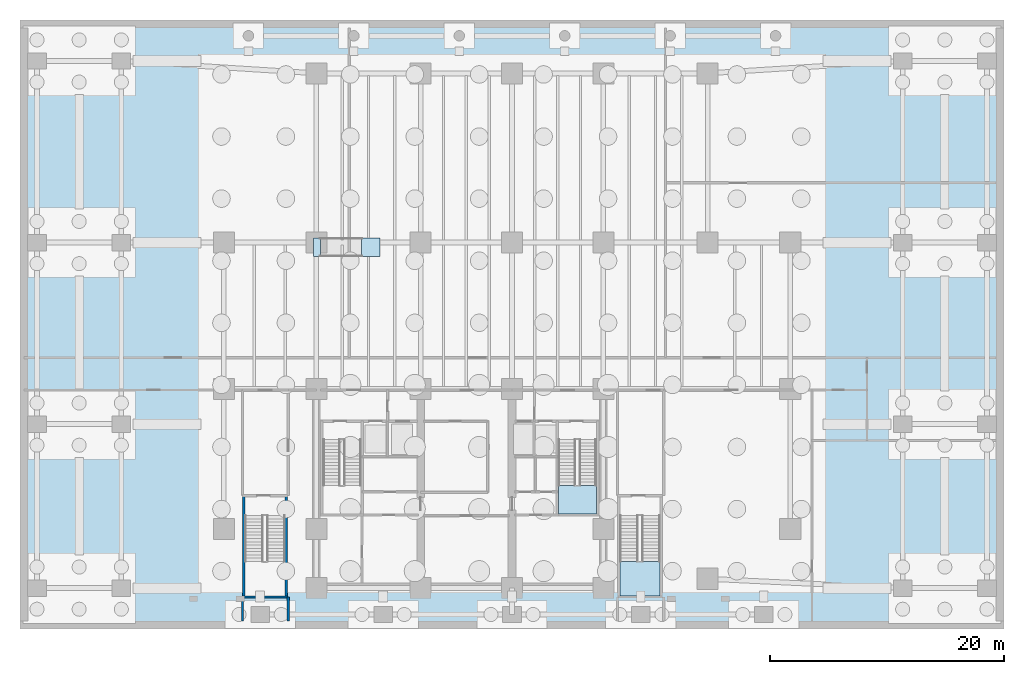
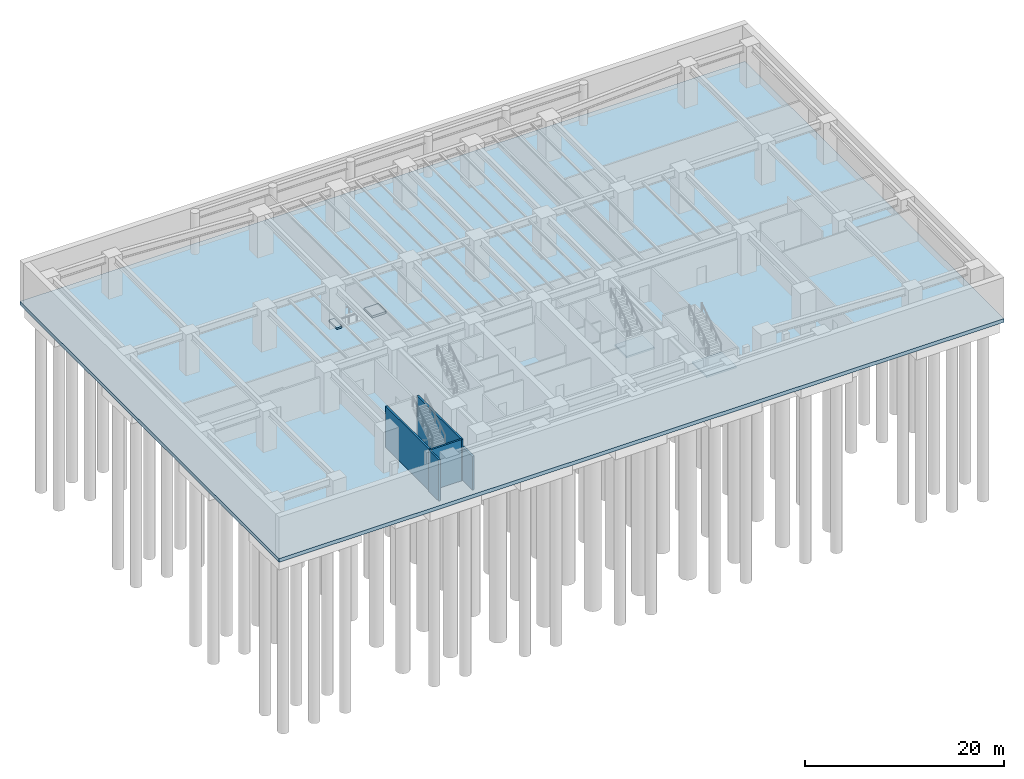
# One storey, part 4 of 12: 5 slabs, 5 walls, 2 elements without a shape of their own.
"""IFC4 building model written with IfcOpenShell, lengths in metres."""

from ifc_helpers import new_model, si_unit, direction, frame, frame_2d, origin, place, context, subcontext, project, spatial, polyline, rectangle, outline, extrude, material, layer, layer_set, type_object, element, aggregate, save


model = new_model("IFC4")

# Units and contexts
model_context = context("Model", 3, precision=1e-05, world=origin(), true_north=direction((0.0, 1.0)))
body_context = subcontext(model_context, "Body", "Model", "MODEL_VIEW")
ifc_project = project(units=[si_unit("LENGTHUNIT", "METRE"), si_unit("AREAUNIT", "SQUARE_METRE"), si_unit("VOLUMEUNIT", "CUBIC_METRE"), si_unit("PLANEANGLEUNIT", "RADIAN"), si_unit("MASSUNIT", "GRAM", prefix="KILO")], contexts=[model_context])

# Site, building, storey
site_placement = place(None, origin())
site = spatial("IfcSite", under=ifc_project, at=site_placement, CompositionType="ELEMENT")
building_placement = place(site_placement, origin())
building = spatial("IfcBuilding", under=site, at=building_placement, Name="Qalmaran Belvedere Hotel", CompositionType="ELEMENT")
storey_placement = place(building_placement, frame((0.0, 0.0, -5.39990234375)))
storey = spatial("IfcBuildingStorey", under=building, at=storey_placement, Name="B01", CompositionType="ELEMENT", Elevation=-5.39990234375)

# Slabs
ifc_material_1 = material(Name="Concrete C40/50", Category="concrete")
ifc_layer_1 = layer(ifc_material_1, 0.449951171875, Name="Concrete C40/50")
ifc_layer_set_1 = layer_set([ifc_layer_1], Name="Concrete C40/50")
slab_type_1 = type_object("IfcSlabType", Name="SLB-BASE-450", PredefinedType="BASESLAB", material=ifc_layer_set_1)
slab_1_placement = place(storey_placement, frame((0.0, 0.0, -0.4501953125)))
element("IfcSlab", 1, at=slab_1_placement, inside=storey, type_object=slab_type_1, Name="B01 Structural Floor Slab", PredefinedType="BASESLAB", context=body_context, shape_type="SweptSolid", body=[
    extrude(outline(polyline([(-5.0, 0.0), (79.0, 0.0), (79.0, 52.0), (-5.0, 52.0), (-5.0, 0.0)])), origin(), (0.0, 0.0, 1.0), 0.4501953125),
])
ifc_layer_2 = layer(ifc_material_1, 0.199951171875, Name="Concrete C40/50")
ifc_layer_set_2 = layer_set([ifc_layer_2], Name="Concrete C40/50")
slab_type_2 = type_object("IfcSlabType", Name="SLB-RAMP-PAD-200", PredefinedType="LANDING", material=ifc_layer_set_2)
slab_2_placement = place(storey_placement, origin())
element("IfcSlab", 2, at=slab_2_placement, inside=storey, type_object=slab_type_2, Name="B01 Accessible Ramp Starter Pad RMP-B01-SV", PredefinedType="LANDING", context=body_context, shape_type="SweptSolid", body=[
    extrude(outline(polyline([(20.050048828125, 31.800048828125), (20.659912109375, 31.800048828125), (20.659912109375, 33.39990234375), (20.050048828125, 33.39990234375), (20.050048828125, 31.800048828125)])), origin(), (0.0, 0.0, 1.0), 0.199951171875),
])
ifc_layer_3 = layer(ifc_material_1, 0.239990234375, Name="Concrete C40/50")
ifc_layer_set_3 = layer_set([ifc_layer_3], Name="Concrete C40/50")
slab_type_3 = type_object("IfcSlabType", Name="SLB-RAMP-PAD-240", PredefinedType="LANDING", material=ifc_layer_set_3)
slab_3_placement = place(storey_placement, origin())
element("IfcSlab", 3, at=slab_3_placement, inside=storey, type_object=slab_type_3, Name="B01 Accessible Ramp Landing RMP-B01-SV", PredefinedType="LANDING", context=body_context, shape_type="SweptSolid", body=[
    extrude(outline(polyline([(24.139892578125, 31.800048828125), (25.75, 31.800048828125), (25.75, 33.39990234375), (24.139892578125, 33.39990234375), (24.139892578125, 31.800048828125)])), origin(), (0.0, 0.0, 1.0), 0.239990234375),
])

# Stair, slab
stair_type_1 = type_object("IfcStairType", Name="STR-ST-2-1450-R1800", PredefinedType="HALF_TURN_STAIR", material=ifc_material_1)
stair_1_placement = place(storey_placement, origin())
stair_1 = element("IfcStair", 4, at=stair_1_placement, inside=storey, type_object=stair_type_1, Name="B01 East Core Exit Stair ST-2", PredefinedType="HALF_TURN_STAIR")
ifc_layer_4 = layer(ifc_material_1, 0.199951171875, Name="Concrete C40/50")
ifc_layer_set_4 = layer_set([ifc_layer_4], Name="Concrete C40/50")
slab_type_4 = type_object("IfcSlabType", Name="SLB-STAIR-LANDING-200", PredefinedType="LANDING", material=ifc_layer_set_4)
slab_4_placement = place(storey_placement, frame((0.0, 0.0, 2.5)))
slab_4 = element("IfcSlab", 5, at=slab_4_placement, type_object=slab_type_4, Name="ST-2 landing 1", PredefinedType="LANDING", context=body_context, shape_type="SweptSolid", body=[
    extrude(outline(polyline([(40.9599609375, 12.27001953125), (40.9599609375, 9.85009765625), (44.199951171875, 9.85009765625), (44.199951171875, 12.27001953125), (40.9599609375, 12.27001953125)])), origin(), (0.0, 0.0, 1.0), 0.199951171875),
])
aggregate(stair_1, [slab_4])

stair_type_2 = type_object("IfcStairType", Name="STR-ST-P2-1550-R1800", PredefinedType="HALF_TURN_STAIR", material=ifc_material_1)
stair_2_placement = place(storey_placement, origin())
stair_2 = element("IfcStair", 6, at=stair_2_placement, inside=storey, type_object=stair_type_2, Name="B01 East Podium Exit Stair ST-P2", PredefinedType="HALF_TURN_STAIR")
slab_5_placement = place(storey_placement, frame((0.0, 0.0, 2.5)))
slab_5 = element("IfcSlab", 7, at=slab_5_placement, type_object=slab_type_4, Name="ST-P2 landing 1", PredefinedType="LANDING", context=body_context, shape_type="SweptSolid", body=[
    extrude(outline(polyline([(46.199951171875, 5.780029296875), (46.199951171875, 2.85009765625), (49.639892578125, 2.85009765625), (49.639892578125, 5.780029296875), (46.199951171875, 5.780029296875)])), origin(), (0.0, 0.0, 1.0), 0.199951171875),
])
aggregate(stair_2, [slab_5])

# Walls
ifc_material_2 = material(Name="Concrete C30/37 Blockwork", Category="masonry")
ifc_layer_5 = layer(ifc_material_2, 0.199951171875, Name="Concrete C30/37 Blockwork")
ifc_layer_set_5 = layer_set([ifc_layer_5], Name="Concrete C30/37 Blockwork")
wall_type_1 = type_object("IfcWallType", Name="WL-INT-200-EI120", PredefinedType="PARTITIONING", material=ifc_layer_set_5)
wall_1_placement = place(storey_placement, frame((14.0, 0.699951171875, 0.0), z_axis=(0.0, 0.0, 1.0), x_axis=(0.0, 1.0, 0.0)))
element("IfcWall", 8, at=wall_1_placement, inside=storey, type_object=wall_type_1, Name="B01 Partition WL-B01-LWS", PredefinedType="PARTITIONING", context=body_context, shape_type="SweptSolid", body=[
    extrude(rectangle(XDim=2.050048828125, YDim=0.199951171875, at=frame_2d((1.02490234375, 0.0))), origin(), (0.0, 0.0, 1.0), 5.0498046875),
])
wall_2_placement = place(storey_placement, frame((17.89990234375, 0.699951171875, 0.0), z_axis=(0.0, 0.0, 1.0), x_axis=(0.0, 1.0, 0.0)))
element("IfcWall", 9, at=wall_2_placement, inside=storey, type_object=wall_type_1, Name="B01 Partition WL-B01-LE2", PredefinedType="PARTITIONING", context=body_context, shape_type="SweptSolid", body=[
    extrude(rectangle(XDim=2.050048828125, YDim=0.199951171875, at=frame_2d((1.02490234375, 0.0))), origin(), (0.0, 0.0, 1.0), 4.114013671875),
])
ifc_material_3 = material(Name="Concrete C50/60", Category="concrete")
ifc_layer_6 = layer(ifc_material_3, 0.2099609375, Name="Concrete C50/60")
ifc_layer_set_6 = layer_set([ifc_layer_6], Name="Concrete C50/60")
wall_type_2 = type_object("IfcWallType", Name="WL-STAIR-210-C50", PredefinedType="SHEAR", material=ifc_layer_set_6)
for number, where, z_axis, x_axis, name in (
    (10, (14.094970703125, 2.639892578125, 0.0), (0.0, 0.0, 1.0), (0.0, 1.0, 0.0), "B01 Podium Stair STP1 West Bearing Wall"),
    (11, (17.7451171875, 2.639892578125, 0.0), (0.0, 0.0, 1.0), (0.0, 1.0, 0.0), "B01 Podium Stair STP1 East Bearing Wall"),
):
    element("IfcWall", number, at=place(storey_placement, frame(where, z_axis=z_axis, x_axis=x_axis)), inside=storey, type_object=wall_type_2, Name=name, PredefinedType="SHEAR", context=body_context, shape_type="SweptSolid", body=[
        extrude(rectangle(XDim=8.8701171875, YDim=0.2099609375, at=frame_2d((4.43505859375, 0.0))), origin(), (0.0, 0.0, 1.0), 5.0498046875),
    ])
wall_3_placement = place(storey_placement, frame((13.989990234375, 2.7451171875, 0.0), z_axis=(0.0, 0.0, 1.0), x_axis=(1.0, 0.0, 0.0)))
element("IfcWall", 12, at=wall_3_placement, inside=storey, type_object=wall_type_2, Name="B01 Podium Stair STP1 South Bearing Wall", PredefinedType="SHEAR", context=body_context, shape_type="SweptSolid", body=[
    extrude(rectangle(XDim=3.860107421875, YDim=0.2099609375, at=frame_2d((1.93017578125, 0.0))), origin(), (0.0, 0.0, 1.0), 5.0498046875),
])

save(model, "model.ifc")
